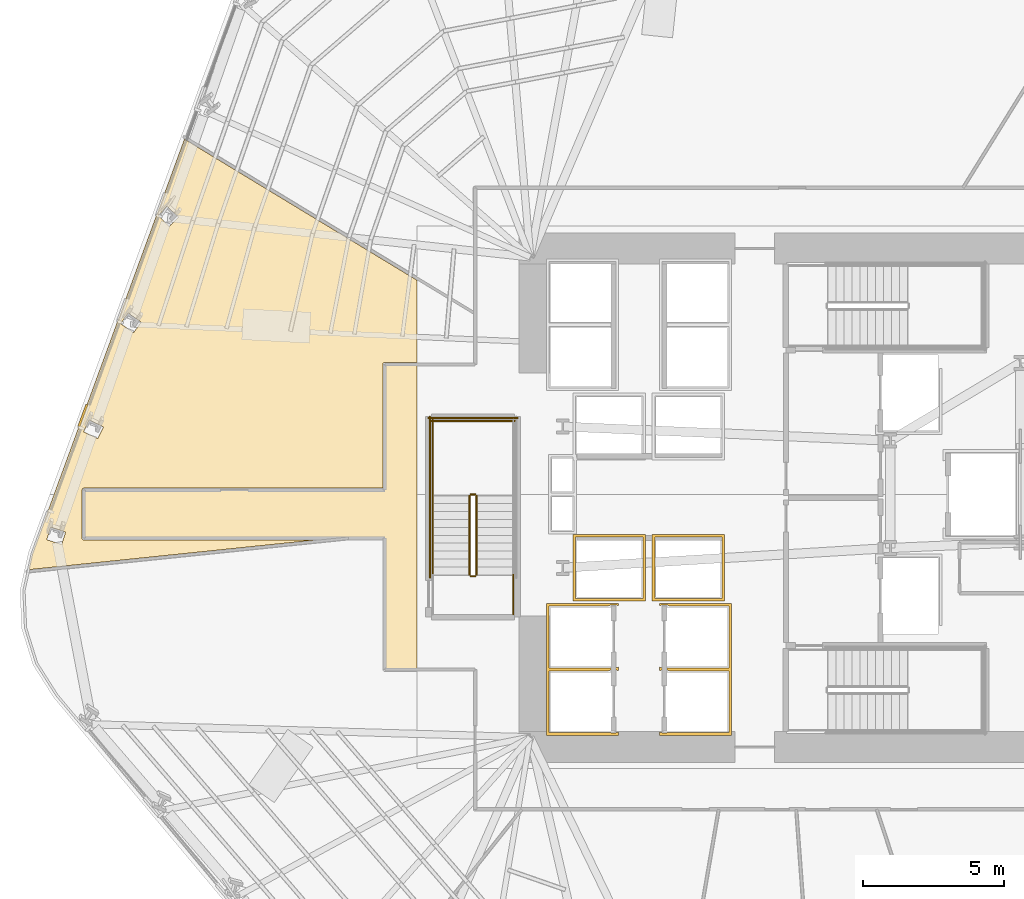
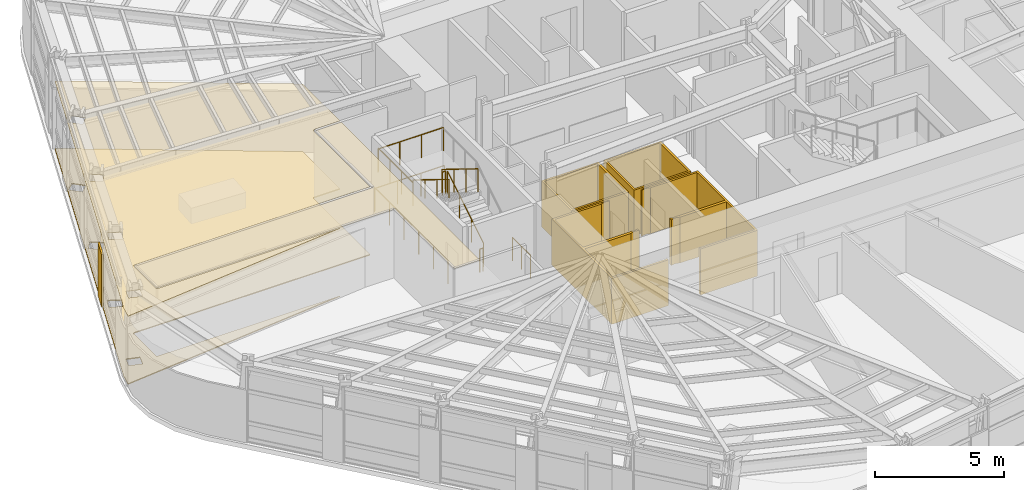
# One storey, part 11 of 16: 10 railings, 8 coverings.
"""IFC4 building model written with IfcOpenShell, lengths in metres."""

from ifc_helpers import new_model, si_unit, direction, frame, origin, origin_2d, place, context, subcontext, project, spatial, polyline, circle, outline, extrude, material, layer, layer_set, type_object, element, save


model = new_model("IFC4")

# Units and contexts
model_context = context("Model", 3, precision=1e-05, world=origin(), true_north=direction((0.0, 1.0)))
body_context = subcontext(model_context, "Body", "Model", "MODEL_VIEW")
ifc_project = project(units=[si_unit("LENGTHUNIT", "METRE"), si_unit("AREAUNIT", "SQUARE_METRE"), si_unit("VOLUMEUNIT", "CUBIC_METRE"), si_unit("PLANEANGLEUNIT", "RADIAN"), si_unit("MASSUNIT", "GRAM", prefix="KILO")], contexts=[model_context])

# Site, building, storey
site_placement = place(None, origin())
site = spatial("IfcSite", under=ifc_project, at=site_placement, CompositionType="ELEMENT")
building_placement = place(site_placement, origin())
building = spatial("IfcBuilding", under=site, at=building_placement, Name="Valkerne Bourse Tower", CompositionType="ELEMENT")
storey_placement = place(building_placement, frame((0.0, 0.0, 65.800048828125)))
storey = spatial("IfcBuildingStorey", under=building, at=storey_placement, Name="L16", CompositionType="ELEMENT", Elevation=65.800048828125)

# Coverings
ifc_material_1 = material(Name="Mineral Fiber Acoustic Ceiling Tile", Category="acoustic")
ifc_layer_1 = layer(ifc_material_1, 0.02490234375)
ifc_layer_set_1 = layer_set([ifc_layer_1], Name="Mineral Fiber Acoustic Ceiling Tile")
covering_type_1 = type_object("IfcCoveringType", Name="COV-CEIL-ACT", PredefinedType="CEILING", material=ifc_layer_set_1)
covering_1_placement = place(storey_placement, frame((0.0, 0.0, 3.22998046875)))
element("IfcCovering", 1, at=covering_1_placement, inside=storey, type_object=covering_type_1, Name="L16 Suspended Ceiling 05", PredefinedType="CEILING", context=body_context, shape_type="SweptSolid", body=[
    extrude(outline(polyline([(33.60009765625, 34.573974609375), (33.60009765625, 31.6689453125), (32.449462890625, 31.6689453125), (32.419921875, 31.662109375), (32.39404296875, 31.640625), (32.381103515625, 31.6005859375), (32.381103515625, 27.218994140625), (21.79931640625, 27.218994140625), (21.75830078125, 27.205322265625), (21.73291015625, 27.16650390625), (21.731201171875, 25.446533203125), (21.744873046875, 25.408203125), (21.783447265625, 25.3828125), (29.976806640625, 25.381103515625), (19.84521484375, 24.3330078125), (19.97021484375, 24.891845703125), (25.35791015625, 39.573486328125), (33.60009765625, 34.573974609375)]), holes=[polyline([(21.1494140625, 25.666015625), (20.617919921875, 25.8291015625), (20.482666015625, 25.394287109375), (20.48291015625, 25.390625), (21.014404296875, 25.2275390625), (21.149658203125, 25.662109375), (21.1494140625, 25.666015625)]), polyline([(22.48876953125, 29.381591796875), (22.489013671875, 29.38525390625), (21.987548828125, 29.626220703125), (21.7890625, 29.21630859375), (21.788818359375, 29.212646484375), (22.2900390625, 28.9716796875), (22.48876953125, 29.381591796875)]), polyline([(23.821044921875, 33.098388671875), (23.364990234375, 33.4169921875), (23.10302734375, 33.044189453125), (23.10205078125, 33.040771484375), (23.558349609375, 32.722412109375), (23.8203125, 33.09521484375), (23.821044921875, 33.098388671875)]), polyline([(25.14208984375, 36.806396484375), (25.1435546875, 36.8095703125), (24.746337890625, 37.19873046875), (24.426513671875, 36.87451171875), (24.425048828125, 36.87109375), (24.822265625, 36.48193359375), (25.14208984375, 36.806396484375)])]), origin(), (0.0, 0.0, 1.0), 0.02490234375),
])
ifc_material_2 = material(Name="Bronze Anodised Aluminium AA 6063-T6", Category="aluminium")
ifc_layer_2 = layer(ifc_material_2, 0.030029296875)
ifc_layer_set_2 = layer_set([ifc_layer_2], Name="Bronze Anodised Aluminium AA 6063-T6")
covering_type_2 = type_object("IfcCoveringType", Name="COV-CEIL-METAL", PredefinedType="CEILING", material=ifc_layer_set_2)
covering_2_placement = place(storey_placement, frame((0.0, 0.0, 3.22998046875)))
element("IfcCovering", 2, at=covering_2_placement, inside=storey, type_object=covering_type_2, Name="L16 Suspended Ceiling 02", PredefinedType="CEILING", context=body_context, shape_type="SweptSolid", body=[
    extrude(outline(polyline([(32.4541015625, 20.803955078125), (32.4541015625, 25.4541015625), (21.803955078125, 25.4541015625), (21.803955078125, 27.14599609375), (32.4541015625, 27.14599609375), (32.4541015625, 31.595947265625), (33.60009765625, 31.595947265625), (33.60009765625, 20.803955078125), (32.4541015625, 20.803955078125)])), origin(), (0.0, 0.0, 1.0), 0.02490234375),
])
ifc_layer_3 = layer(ifc_material_2, 0.06005859375)
ifc_layer_set_3 = layer_set([ifc_layer_3], Name="Bronze Anodised Aluminium AA 6063-T6")
covering_type_3 = type_object("IfcCoveringType", Name="COV-CRN-ALUM", PredefinedType="CLADDING", material=ifc_layer_set_3)
covering_3_placement = place(storey_placement, origin())
element("IfcCovering", 3, at=covering_3_placement, inside=storey, type_object=covering_type_3, Name="L16 Wind-Shaped Corner Aluminium Cladding 12", PredefinedType="CLADDING", context=body_context, shape_type="SweptSolid", body=[
    extrude(outline(polyline([(21.8671875, 30.188720703125), (21.942138671875, 30.1611328125), (21.65283203125, 29.37255859375), (21.57763671875, 29.400146484375), (21.8671875, 30.188720703125)])), origin(), (0.0, 0.0, 1.0), 2.5),
])
ifc_material_3 = material(Name="Galvanised Painted Steel", Category="steel")
ifc_layer_4 = layer(ifc_material_3, 0.044921875)
ifc_layer_set_4 = layer_set([ifc_layer_4], Name="Galvanised Painted Steel")
covering_type_4 = type_object("IfcCoveringType", Name="COV-FLR-RAF", PredefinedType="FLOORING", material=ifc_layer_set_4)
covering_4_placement = place(storey_placement, origin())
element("IfcCovering", 4, at=covering_4_placement, inside=storey, type_object=covering_type_4, Name="L16 Floor Finish 05", PredefinedType="FLOORING", context=body_context, shape_type="SweptSolid", body=[
    extrude(outline(polyline([(33.60009765625, 34.573974609375), (33.60009765625, 31.6689453125), (32.449462890625, 31.6689453125), (32.419921875, 31.662109375), (32.39404296875, 31.640625), (32.381103515625, 31.6005859375), (32.381103515625, 27.218994140625), (21.79931640625, 27.218994140625), (21.75830078125, 27.205322265625), (21.73291015625, 27.16650390625), (21.731201171875, 25.446533203125), (21.744873046875, 25.408203125), (21.783447265625, 25.3828125), (29.976806640625, 25.381103515625), (19.84521484375, 24.3330078125), (19.97021484375, 24.891845703125), (25.35791015625, 39.573486328125), (33.60009765625, 34.573974609375)]), holes=[polyline([(21.1494140625, 25.666015625), (20.617919921875, 25.8291015625), (20.482666015625, 25.394287109375), (20.48291015625, 25.390625), (21.014404296875, 25.2275390625), (21.149658203125, 25.662109375), (21.1494140625, 25.666015625)]), polyline([(22.48876953125, 29.381591796875), (22.489013671875, 29.38525390625), (21.987548828125, 29.626220703125), (21.7890625, 29.21630859375), (21.788818359375, 29.212646484375), (22.2900390625, 28.9716796875), (22.48876953125, 29.381591796875)]), polyline([(23.821044921875, 33.098388671875), (23.364990234375, 33.4169921875), (23.10302734375, 33.044189453125), (23.10205078125, 33.040771484375), (23.558349609375, 32.722412109375), (23.8203125, 33.09521484375), (23.821044921875, 33.098388671875)]), polyline([(25.14208984375, 36.806396484375), (25.1435546875, 36.8095703125), (24.746337890625, 37.19873046875), (24.426513671875, 36.87451171875), (24.425048828125, 36.87109375), (24.822265625, 36.48193359375), (25.14208984375, 36.806396484375)])]), origin(), (0.0, 0.0, 1.0), 0.044921875),
])
ifc_material_4 = material(Name="Gypsum Shaftwall Liner Board", Category="gypsum")
ifc_layer_5 = layer(ifc_material_4, 0.080078125)
ifc_layer_set_5 = layer_set([ifc_layer_5], Name="Gypsum Shaftwall Liner Board")
covering_type_5 = type_object("IfcCoveringType", Name="COV-SHF-CLAD", PredefinedType="CLADDING", material=ifc_layer_set_5)
covering_5_placement = place(storey_placement, origin())
element("IfcCovering", 5, at=covering_5_placement, inside=storey, type_object=covering_type_5, Name="L16 Hoistway & Riser Shaftwall Liner 01", PredefinedType="CLADDING", context=body_context, shape_type="SweptSolid", body=[
    extrude(outline(polyline([(38.169921875, 23.1298828125), (40.72998046875, 23.1298828125), (40.72998046875, 23.052001953125), (40.72216796875, 23.0556640625), (40.6806640625, 23.070556640625), (40.6376953125, 23.081298828125), (40.593994140625, 23.087890625), (40.550048828125, 23.090087890625), (40.505859375, 23.087890625), (40.462158203125, 23.081298828125), (40.41943359375, 23.070556640625), (40.377685546875, 23.0556640625), (40.344482421875, 23.0400390625), (38.260009765625, 23.0400390625), (38.260009765625, 20.860107421875), (40.456787109375, 20.860107421875), (40.462158203125, 20.858642578125), (40.505859375, 20.852294921875), (40.550048828125, 20.85009765625), (40.593994140625, 20.852294921875), (40.6376953125, 20.858642578125), (40.6806640625, 20.869384765625), (40.72216796875, 20.88427734375), (40.72998046875, 20.887939453125), (40.72998046875, 20.830078125), (40.72998046875, 20.77001953125), (40.72998046875, 20.752197265625), (40.72216796875, 20.755615234375), (40.6806640625, 20.7705078125), (40.6376953125, 20.781494140625), (40.593994140625, 20.787841796875), (40.550048828125, 20.7900390625), (40.505859375, 20.787841796875), (40.462158203125, 20.781494140625), (40.41943359375, 20.7705078125), (40.377685546875, 20.755615234375), (40.344482421875, 20.739990234375), (38.260009765625, 20.739990234375), (38.260009765625, 18.56005859375), (40.456787109375, 18.56005859375), (40.462158203125, 18.55859375), (40.505859375, 18.55224609375), (40.550048828125, 18.550048828125), (40.593994140625, 18.55224609375), (40.6376953125, 18.55859375), (40.6806640625, 18.5693359375), (40.72216796875, 18.584228515625), (40.72998046875, 18.587890625), (40.72998046875, 18.469970703125), (38.169921875, 18.469970703125), (38.169921875, 20.77001953125), (38.169921875, 20.830078125), (38.169921875, 23.1298828125)])), origin(), (0.0, 0.0, 1.0), 2.179931640625),
])
covering_6_placement = place(storey_placement, origin())
element("IfcCovering", 6, at=covering_6_placement, inside=storey, type_object=covering_type_5, Name="L16 Hoistway & Riser Shaftwall Liner 02", PredefinedType="CLADDING", context=body_context, shape_type="SweptSolid", body=[
    extrude(outline(polyline([(41.679931640625, 23.219970703125), (39.1201171875, 23.219970703125), (39.1201171875, 25.580078125), (41.679931640625, 25.580078125), (41.679931640625, 23.219970703125)]), holes=[polyline([(39.2099609375, 25.489990234375), (39.2099609375, 23.31005859375), (41.590087890625, 23.31005859375), (41.590087890625, 25.489990234375), (39.2099609375, 25.489990234375)])]), origin(), (0.0, 0.0, 1.0), 2.179931640625),
])
covering_7_placement = place(storey_placement, origin())
element("IfcCovering", 7, at=covering_7_placement, inside=storey, type_object=covering_type_5, Name="L16 Hoistway & Riser Shaftwall Liner 03", PredefinedType="CLADDING", context=body_context, shape_type="SweptSolid", body=[
    extrude(outline(polyline([(44.47998046875, 23.219970703125), (41.919921875, 23.219970703125), (41.919921875, 25.580078125), (44.47998046875, 25.580078125), (44.47998046875, 23.219970703125)]), holes=[polyline([(42.010009765625, 25.489990234375), (42.010009765625, 23.31005859375), (44.389892578125, 23.31005859375), (44.389892578125, 25.489990234375), (42.010009765625, 25.489990234375)])]), origin(), (0.0, 0.0, 1.0), 2.179931640625),
])
covering_8_placement = place(storey_placement, origin())
element("IfcCovering", 8, at=covering_8_placement, inside=storey, type_object=covering_type_5, Name="L16 Hoistway & Riser Shaftwall Liner 06", PredefinedType="CLADDING", context=body_context, shape_type="SweptSolid", body=[
    extrude(outline(polyline([(42.169921875, 20.830078125), (42.169921875, 20.887939453125), (42.177734375, 20.88427734375), (42.219482421875, 20.869384765625), (42.26220703125, 20.858642578125), (42.305908203125, 20.852294921875), (42.35009765625, 20.85009765625), (42.39404296875, 20.852294921875), (42.437744140625, 20.858642578125), (42.443115234375, 20.860107421875), (44.639892578125, 20.860107421875), (44.639892578125, 23.0400390625), (42.555419921875, 23.0400390625), (42.522216796875, 23.0556640625), (42.480712890625, 23.070556640625), (42.437744140625, 23.081298828125), (42.39404296875, 23.087890625), (42.35009765625, 23.090087890625), (42.305908203125, 23.087890625), (42.26220703125, 23.081298828125), (42.219482421875, 23.070556640625), (42.177734375, 23.0556640625), (42.169921875, 23.052001953125), (42.169921875, 23.1298828125), (44.72998046875, 23.1298828125), (44.72998046875, 20.830078125), (44.72998046875, 20.77001953125), (44.72998046875, 18.469970703125), (42.169921875, 18.469970703125), (42.169921875, 18.587890625), (42.177734375, 18.584228515625), (42.219482421875, 18.5693359375), (42.26220703125, 18.55859375), (42.305908203125, 18.55224609375), (42.35009765625, 18.550048828125), (42.39404296875, 18.55224609375), (42.437744140625, 18.55859375), (42.443115234375, 18.56005859375), (44.639892578125, 18.56005859375), (44.639892578125, 20.739990234375), (42.555419921875, 20.739990234375), (42.522216796875, 20.755615234375), (42.480712890625, 20.7705078125), (42.437744140625, 20.781494140625), (42.39404296875, 20.787841796875), (42.35009765625, 20.7900390625), (42.305908203125, 20.787841796875), (42.26220703125, 20.781494140625), (42.219482421875, 20.7705078125), (42.177734375, 20.755615234375), (42.169921875, 20.752197265625), (42.169921875, 20.77001953125), (42.169921875, 20.830078125)])), origin(), (0.0, 0.0, 1.0), 2.179931640625),
])

# Railings
railing_type_1 = type_object("IfcRailingType", Name="RLG-ST-GUARD-1120", PredefinedType="GUARDRAIL", material=ifc_material_3)
railing_1_placement = place(storey_placement, frame((35.699951171875, 24.14990234375, 0.172607421875)))
element("IfcRailing", 9, at=railing_1_placement, inside=storey, type_object=railing_type_1, Name="L16 ST-3 stair guard 1", PredefinedType="GUARDRAIL", context=body_context, shape_type="SweptSolid", body=[
    extrude(circle(Radius=0.02392578125, at=origin_2d()), frame((0.0, 0.0, 1.09619140625), z_axis=(0.0, 0.851089632645, 0.525020415988), x_axis=(-1.0, 0.0, 0.0)), (0.0, 0.0, 1.0), 3.2900390625),
    extrude(circle(Radius=0.02099609375, at=origin_2d()), origin(), (0.0, 0.0, 1.0), 1.072021484375),
    extrude(circle(Radius=0.02099609375, at=origin_2d()), frame((0.0, 0.933349609375, 0.57568359375)), (0.0, 0.0, 1.0), 1.072021484375),
    extrude(circle(Radius=0.02099609375, at=origin_2d()), frame((0.0, 1.86669921875, 1.151611328125)), (0.0, 0.0, 1.0), 1.072021484375),
    extrude(circle(Radius=0.02099609375, at=origin_2d()), frame((0.0, 2.800048828125, 1.727294921875)), (0.0, 0.0, 1.0), 1.072021484375),
])
railing_2_placement = place(storey_placement, frame((35.64990234375, 27.0, 1.89990234375)))
element("IfcRailing", 10, at=railing_2_placement, inside=storey, type_object=railing_type_1, Name="L16 ST-3 stair guard 2", PredefinedType="GUARDRAIL", context=body_context, shape_type="SweptSolid", body=[
    extrude(circle(Radius=0.02392578125, at=origin_2d()), frame((0.0, 0.0, 1.09619140625), z_axis=(-1.0, 0.0, 0.0), x_axis=(0.0, -1.0, 0.0)), (0.0, 0.0, 1.0), 0.14990234375),
    extrude(circle(Radius=0.02099609375, at=origin_2d()), origin(), (0.0, 0.0, 1.0), 1.072021484375),
    extrude(circle(Radius=0.02099609375, at=origin_2d()), frame((-0.14990234375, 0.0, 0.0)), (0.0, 0.0, 1.0), 1.072021484375),
])
railing_3_placement = place(storey_placement, frame((34.14990234375, 26.949951171875, 1.89990234375)))
element("IfcRailing", 11, at=railing_3_placement, inside=storey, type_object=railing_type_1, Name="L16 ST-3 stair guard 4", PredefinedType="GUARDRAIL", context=body_context, shape_type="SweptSolid", body=[
    extrude(circle(Radius=0.02392578125, at=origin_2d()), frame((0.0, 0.0, 1.09619140625), z_axis=(0.0, 1.0, 0.0), x_axis=(-1.0, 0.0, 0.0)), (0.0, 0.0, 1.0), 2.699951171875),
    extrude(circle(Radius=0.02099609375, at=origin_2d()), origin(), (0.0, 0.0, 1.0), 1.072021484375),
    extrude(circle(Radius=0.02099609375, at=origin_2d()), frame((0.0, 0.89990234375, 0.0)), (0.0, 0.0, 1.0), 1.072021484375),
    extrude(circle(Radius=0.02099609375, at=origin_2d()), frame((0.0, 1.800048828125, 0.0)), (0.0, 0.0, 1.0), 1.072021484375),
    extrude(circle(Radius=0.02099609375, at=origin_2d()), frame((0.0, 2.699951171875, 0.0)), (0.0, 0.0, 1.0), 1.072021484375),
])
railing_4_placement = place(storey_placement, frame((37.050048828125, 29.60009765625, 1.89990234375)))
element("IfcRailing", 12, at=railing_4_placement, inside=storey, type_object=railing_type_1, Name="L16 ST-3 stair guard 5", PredefinedType="GUARDRAIL", context=body_context, shape_type="SweptSolid", body=[
    extrude(circle(Radius=0.02392578125, at=origin_2d()), frame((0.0, 0.0, 1.09619140625), z_axis=(-1.0, 0.0, 0.0), x_axis=(0.0, -1.0, 0.0)), (0.0, 0.0, 1.0), 2.949951171875),
    extrude(circle(Radius=0.02099609375, at=origin_2d()), origin(), (0.0, 0.0, 1.0), 1.072021484375),
    extrude(circle(Radius=0.02099609375, at=origin_2d()), frame((-0.9833984375, 0.0, 0.0)), (0.0, 0.0, 1.0), 1.072021484375),
    extrude(circle(Radius=0.02099609375, at=origin_2d()), frame((-1.966552734375, 0.0, 0.0)), (0.0, 0.0, 1.0), 1.072021484375),
    extrude(circle(Radius=0.02099609375, at=origin_2d()), frame((-2.949951171875, 0.0, 0.0)), (0.0, 0.0, 1.0), 1.072021484375),
])
railing_5_placement = place(storey_placement, frame((35.449951171875, 26.949951171875, 2.07275390625)))
element("IfcRailing", 13, at=railing_5_placement, inside=storey, type_object=railing_type_1, Name="L16 ST-3 stair guard 6", PredefinedType="GUARDRAIL", context=body_context, shape_type="SweptSolid", body=[
    extrude(circle(Radius=0.02392578125, at=origin_2d()), frame((0.0, 0.0, 1.09619140625), z_axis=(0.0, -0.851089632645, 0.525020415988), x_axis=(1.0, 0.0, 0.0)), (0.0, 0.0, 1.0), 3.2900390625),
    extrude(circle(Radius=0.02099609375, at=origin_2d()), origin(), (0.0, 0.0, 1.0), 1.072021484375),
    extrude(circle(Radius=0.02099609375, at=origin_2d()), frame((0.0, -0.933349609375, 0.57568359375)), (0.0, 0.0, 1.0), 1.072021484375),
    extrude(circle(Radius=0.02099609375, at=origin_2d()), frame((0.0, -1.86669921875, 1.151611328125)), (0.0, 0.0, 1.0), 1.072021484375),
    extrude(circle(Radius=0.02099609375, at=origin_2d()), frame((0.0, -2.800048828125, 1.727294921875)), (0.0, 0.0, 1.0), 1.072021484375),
])
railing_6_placement = place(storey_placement, frame((35.64990234375, 24.10009765625, 0.0)))
element("IfcRailing", 14, at=railing_6_placement, inside=storey, type_object=railing_type_1, Name="L16 ST-3 stair guard 7", PredefinedType="GUARDRAIL", context=body_context, shape_type="SweptSolid", body=[
    extrude(circle(Radius=0.02392578125, at=origin_2d()), frame((0.0, 0.0, 1.09619140625), z_axis=(-1.0, 0.0, 0.0), x_axis=(0.0, -1.0, 0.0)), (0.0, 0.0, 1.0), 0.14990234375),
    extrude(circle(Radius=0.02099609375, at=origin_2d()), origin(), (0.0, 0.0, 1.0), 1.072021484375),
    extrude(circle(Radius=0.02099609375, at=origin_2d()), frame((-0.14990234375, 0.0, 0.0)), (0.0, 0.0, 1.0), 1.072021484375),
])
railing_7_placement = place(storey_placement, frame((37.0, 22.75, 0.0)))
element("IfcRailing", 15, at=railing_7_placement, inside=storey, type_object=railing_type_1, Name="L16 ST-3 stair guard 8", PredefinedType="GUARDRAIL", context=body_context, shape_type="SweptSolid", body=[
    extrude(circle(Radius=0.02392578125, at=origin_2d()), frame((0.0, 0.0, 1.09619140625), z_axis=(0.0, 1.0, 0.0), x_axis=(-1.0, 0.0, 0.0)), (0.0, 0.0, 1.0), 1.39990234375),
    extrude(circle(Radius=0.02099609375, at=origin_2d()), origin(), (0.0, 0.0, 1.0), 1.072021484375),
    extrude(circle(Radius=0.02099609375, at=origin_2d()), frame((0.0, 0.699951171875, 0.0)), (0.0, 0.0, 1.0), 1.072021484375),
    extrude(circle(Radius=0.02099609375, at=origin_2d()), frame((0.0, 1.39990234375, 0.0)), (0.0, 0.0, 1.0), 1.072021484375),
])
railing_8_placement = place(storey_placement, frame((34.050048828125, 24.050048828125, 0.0)))
element("IfcRailing", 16, at=railing_8_placement, inside=storey, type_object=railing_type_1, Name="L16 ST-3 stair guard 11", PredefinedType="GUARDRAIL", context=body_context, shape_type="SweptSolid", body=[
    extrude(circle(Radius=0.02392578125, at=origin_2d()), frame((0.0, 0.0, 1.09619140625), z_axis=(0.0, 1.0, 0.0), x_axis=(-1.0, 0.0, 0.0)), (0.0, 0.0, 1.0), 5.699951171875),
    extrude(circle(Radius=0.02099609375, at=origin_2d()), origin(), (0.0, 0.0, 1.0), 1.072021484375),
    extrude(circle(Radius=0.02099609375, at=origin_2d()), frame((0.0, 1.139892578125, 0.0)), (0.0, 0.0, 1.0), 1.072021484375),
    extrude(circle(Radius=0.02099609375, at=origin_2d()), frame((0.0, 2.280029296875, 0.0)), (0.0, 0.0, 1.0), 1.072021484375),
    extrude(circle(Radius=0.02099609375, at=origin_2d()), frame((0.0, 3.419921875, 0.0)), (0.0, 0.0, 1.0), 1.072021484375),
    extrude(circle(Radius=0.02099609375, at=origin_2d()), frame((0.0, 4.56005859375, 0.0)), (0.0, 0.0, 1.0), 1.072021484375),
    extrude(circle(Radius=0.02099609375, at=origin_2d()), frame((0.0, 5.699951171875, 0.0)), (0.0, 0.0, 1.0), 1.072021484375),
])
railing_9_placement = place(storey_placement, frame((37.14990234375, 29.699951171875, 0.0)))
element("IfcRailing", 17, at=railing_9_placement, inside=storey, type_object=railing_type_1, Name="L16 ST-3 stair guard 12", PredefinedType="GUARDRAIL", context=body_context, shape_type="SweptSolid", body=[
    extrude(circle(Radius=0.02392578125, at=origin_2d()), frame((0.0, 0.0, 1.09619140625), z_axis=(-1.0, 0.0, 0.0), x_axis=(0.0, -1.0, 0.0)), (0.0, 0.0, 1.0), 3.14990234375),
    extrude(circle(Radius=0.02099609375, at=origin_2d()), origin(), (0.0, 0.0, 1.0), 1.072021484375),
    extrude(circle(Radius=0.02099609375, at=origin_2d()), frame((-1.050048828125, 0.0, 0.0)), (0.0, 0.0, 1.0), 1.072021484375),
    extrude(circle(Radius=0.02099609375, at=origin_2d()), frame((-2.099853515625, 0.0, 0.0)), (0.0, 0.0, 1.0), 1.072021484375),
    extrude(circle(Radius=0.02099609375, at=origin_2d()), frame((-3.14990234375, 0.0, 0.0)), (0.0, 0.0, 1.0), 1.072021484375),
])
ifc_material_5 = material(Name="Stainless Steel AISI 316", Category="steel")
railing_type_2 = type_object("IfcRailingType", Name="RLG-ST-HANDRAIL-900", PredefinedType="HANDRAIL", material=ifc_material_5)
railing_10_placement = place(storey_placement, frame((34.14990234375, 26.949951171875, 2.245361328125)))
element("IfcRailing", 18, at=railing_10_placement, inside=storey, type_object=railing_type_2, Name="L16 ST-3 stair handrail 2", PredefinedType="HANDRAIL", context=body_context, shape_type="SweptSolid", body=[
    extrude(circle(Radius=0.02392578125, at=origin_2d()), frame((0.0, 0.0, 0.8759765625), z_axis=(0.0, -0.851089632645, 0.525020415988), x_axis=(1.0, 0.0, 0.0)), (0.0, 0.0, 1.0), 3.2900390625),
    extrude(circle(Radius=0.02099609375, at=origin_2d()), origin(), (0.0, 0.0, 1.0), 0.851806640625),
    extrude(circle(Radius=0.02099609375, at=origin_2d()), frame((0.0, -0.933349609375, 0.57568359375)), (0.0, 0.0, 1.0), 0.851806640625),
    extrude(circle(Radius=0.02099609375, at=origin_2d()), frame((0.0, -1.86669921875, 1.151611328125)), (0.0, 0.0, 1.0), 0.851806640625),
    extrude(circle(Radius=0.02099609375, at=origin_2d()), frame((0.0, -2.800048828125, 1.727294921875)), (0.0, 0.0, 1.0), 0.851806640625),
])

save(model, "model.ifc")
